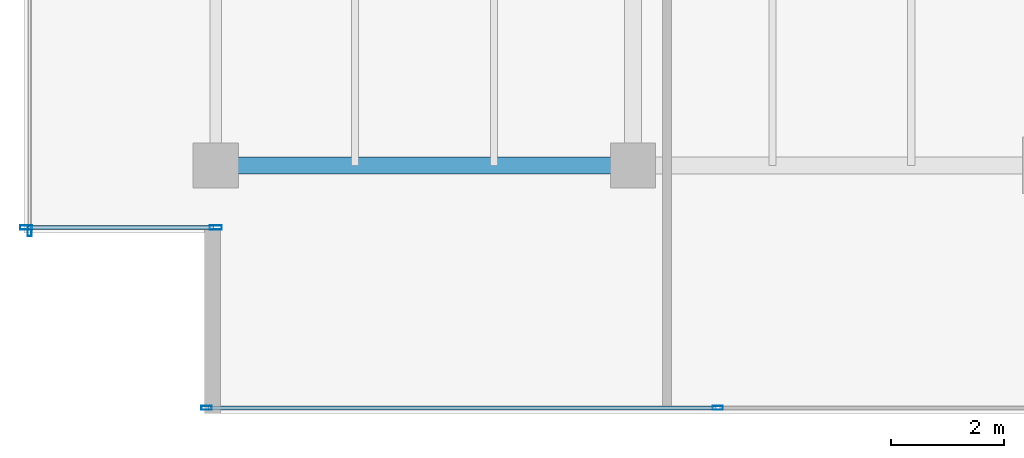
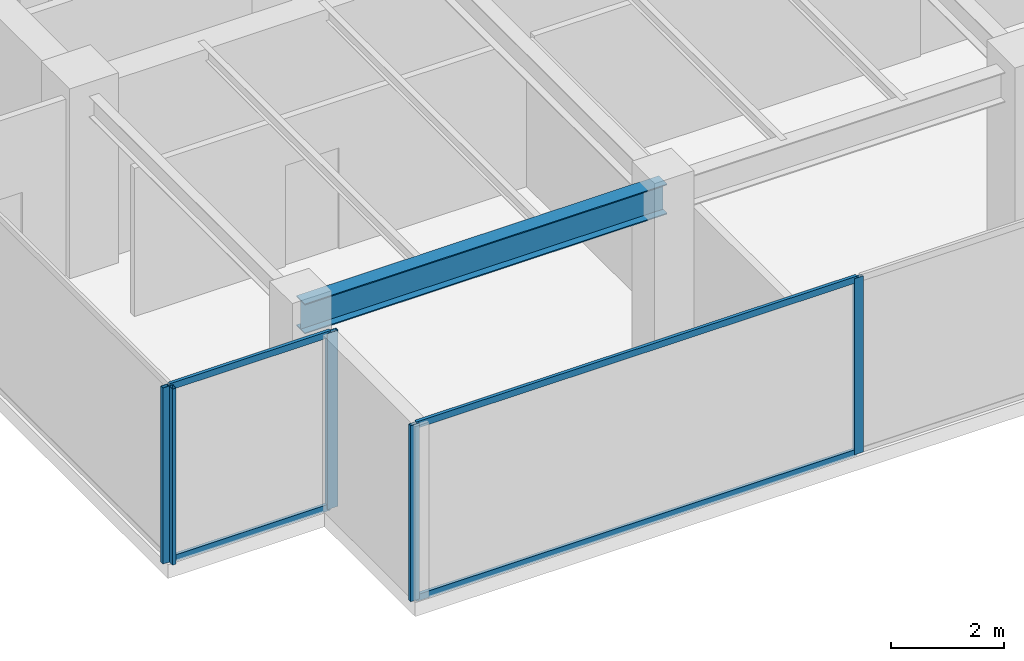
# One storey, part 5 of 33: 9 members, 1 beam, 3 elements without a shape of their own.
"""IFC4 building model written with IfcOpenShell, lengths in metres."""

from ifc_helpers import new_model, si_unit, direction, frame, origin, origin_2d, place, context, subcontext, project, spatial, hollow_rectangle, i_section, extrude, source, transform, mapped, material, layer, layer_set, material_profile, profile_set, type_object, type_shapes, element, aggregate, save


model = new_model("IFC4")

# Units and contexts
model_context = context("Model", 3, precision=1e-05, world=origin(), true_north=direction((0.0, 1.0)))
body_context = subcontext(model_context, "Body", "Model", "MODEL_VIEW")
ifc_project = project(units=[si_unit("LENGTHUNIT", "METRE"), si_unit("AREAUNIT", "SQUARE_METRE"), si_unit("VOLUMEUNIT", "CUBIC_METRE"), si_unit("PLANEANGLEUNIT", "RADIAN"), si_unit("MASSUNIT", "GRAM", prefix="KILO")], contexts=[model_context])

# Site, building, storey
site_placement = place(None, origin())
site = spatial("IfcSite", under=ifc_project, at=site_placement, CompositionType="ELEMENT")
building_placement = place(site_placement, origin())
building = spatial("IfcBuilding", under=site, at=building_placement, Name="Haelvirn Gate Laboratories", CompositionType="ELEMENT")
storey_placement = place(building_placement, frame((0.0, 0.0, 250.60009765625)))
storey = spatial("IfcBuildingStorey", under=building, at=storey_placement, Name="L60", CompositionType="ELEMENT", Elevation=250.60009765625)

# Beam
ifc_material_1 = material(Name="Steel SM355", Category="steel")
ifc_material_profile_1 = material_profile(ifc_material_1, i_section(OverallWidth=0.300048828125, OverallDepth=0.64990234375, WebThickness=0.012939453125, FlangeThickness=0.02197265625, at=origin_2d()), Name="H-650x300x13x22")
ifc_profile_set_1 = profile_set([ifc_material_profile_1], Name="Steel SM355")
beam_type = type_object("IfcBeamType", Name="BM-G-650", PredefinedType="BEAM", material=ifc_profile_set_1)
shared_shape_1 = source(origin(), body_context, "Body", "SweptSolid", [
    extrude(i_section(OverallWidth=0.300048828125, OverallDepth=0.64990234375, WebThickness=0.012939453125, FlangeThickness=0.02197265625, at=origin_2d()), origin(), (0.0, 0.0, 1.0), 7.400146484375),
])
type_shapes(beam_type, [shared_shape_1])
beam_placement = place(storey_placement, frame((7.39990234375, 7.0, 3.474853515625), z_axis=(1.0, 0.0, 0.0), x_axis=(0.0, 1.0, 0.0)))
element("IfcBeam", 1, at=beam_placement, inside=storey, type_object=beam_type, Name="L60 Primary Girder Y7.0 (7.4-14.8)", PredefinedType="BEAM", context=body_context, shape_type="MappedRepresentation", body=[
    mapped(shared_shape_1, transform((0.0, 0.0, 0.0), scale=1.0)),
])

# Curtain wall, members
ifc_material_2 = material(Name="Anodised bronze unitised aluminium & triple low-E glass", Category="aluminium")
ifc_layer_1 = layer(ifc_material_2, 0.181884765625, Name="CW-SYS-5")
ifc_layer_set_1 = layer_set([ifc_layer_1], Name="Anodised bronze unitised aluminium & triple low-E glass")
curtain_wall_type_1 = type_object("IfcCurtainWallType", Name="CW-SYS-5", PredefinedType="NOTDEFINED", material=ifc_layer_set_1)
curtain_wall_1_placement = place(storey_placement, origin())
curtain_wall_1 = element("IfcCurtainWall", 2, at=curtain_wall_1_placement, inside=storey, type_object=curtain_wall_type_1, Name="L60 Unitised Curtain Wall CW-L60-P0-E18-1", PredefinedType="NOTDEFINED")
ifc_material_3 = material(Name="Extruded aluminium 6063-T6 (anodised bronze)", Category="aluminium")
ifc_material_profile_2 = material_profile(ifc_material_3, hollow_rectangle(XDim=0.06494140625, YDim=0.139892578125, WallThickness=0.00390625, at=origin_2d()), Name="CWT-140x65x4")
ifc_profile_set_2 = profile_set([ifc_material_profile_2], Name="Extruded aluminium 6063-T6 (anodised bronze)")
member_type_1 = type_object("IfcMemberType", Name="CWT-T140", PredefinedType="USERDEFINED", material=ifc_profile_set_2)
shared_shape_2 = source(origin(), body_context, "Body", "SweptSolid", [
    extrude(hollow_rectangle(XDim=0.06494140625, YDim=0.139892578125, WallThickness=0.00390625, at=origin_2d()), origin(), (0.0, 0.0, 1.0), 3.280029296875),
])
member_1_placement = place(storey_placement, frame((4.080078125, 5.89990234375, 0.032470703125), z_axis=(1.0, 0.0, 0.0), x_axis=(0.0, 1.0, 0.0)))
member_1 = element("IfcMember", 3, at=member_1_placement, type_object=member_type_1, Name="CW5 transom 1.1", ObjectType="TRANSOM", PredefinedType="USERDEFINED", context=body_context, shape_type="MappedRepresentation", body=[
    mapped(shared_shape_2, transform((0.0, 0.0, 0.0), scale=1.0)),
])
member_2_placement = place(storey_placement, frame((4.080078125, 5.89990234375, 3.767333984375), z_axis=(1.0, 0.0, 0.0), x_axis=(0.0, 1.0, 0.0)))
member_2 = element("IfcMember", 4, at=member_2_placement, type_object=member_type_1, Name="CW5 transom 1.2", ObjectType="TRANSOM", PredefinedType="USERDEFINED", context=body_context, shape_type="MappedRepresentation", body=[
    mapped(shared_shape_2, transform((0.0, 0.0, 0.0), scale=1.0)),
])

ifc_layer_2 = layer(ifc_material_2, 0.176025390625, Name="CW-SYS-4")
ifc_layer_set_2 = layer_set([ifc_layer_2], Name="Anodised bronze unitised aluminium & triple low-E glass")
curtain_wall_type_2 = type_object("IfcCurtainWallType", Name="CW-SYS-4", PredefinedType="NOTDEFINED", material=ifc_layer_set_2)
curtain_wall_2_placement = place(storey_placement, origin())
curtain_wall_2 = element("IfcCurtainWall", 5, at=curtain_wall_2_placement, inside=storey, type_object=curtain_wall_type_2, Name="L60 Unitised Curtain Wall CW-L60-P0-E00-1", PredefinedType="NOTDEFINED")
shared_shape_3 = source(origin(), body_context, "Body", "SweptSolid", [
    extrude(hollow_rectangle(XDim=0.06494140625, YDim=0.139892578125, WallThickness=0.00390625, at=origin_2d()), origin(), (0.0, 0.0, 1.0), 8.994873046875),
])
type_shapes(member_type_1, [shared_shape_2, shared_shape_3])
member_3_placement = place(storey_placement, frame((7.27001953125, 2.699951171875, 0.032470703125), z_axis=(1.0, 0.0, 0.0), x_axis=(0.0, 1.0, 0.0)))
member_3 = element("IfcMember", 6, at=member_3_placement, type_object=member_type_1, Name="CW4 transom 1.1", ObjectType="TRANSOM", PredefinedType="USERDEFINED", context=body_context, shape_type="MappedRepresentation", body=[
    mapped(shared_shape_3, transform((0.0, 0.0, 0.0), scale=1.0)),
])
member_4_placement = place(storey_placement, frame((7.27001953125, 2.699951171875, 3.767333984375), z_axis=(1.0, 0.0, 0.0), x_axis=(0.0, 1.0, 0.0)))
member_4 = element("IfcMember", 7, at=member_4_placement, type_object=member_type_1, Name="CW4 transom 1.2", ObjectType="TRANSOM", PredefinedType="USERDEFINED", context=body_context, shape_type="MappedRepresentation", body=[
    mapped(shared_shape_3, transform((0.0, 0.0, 0.0), scale=1.0)),
])
ifc_material_profile_3 = material_profile(ifc_material_3, hollow_rectangle(XDim=0.070068359375, YDim=0.179931640625, WallThickness=0.0048828125, at=origin_2d()), Name="CWM-180x70x5")
ifc_profile_set_3 = profile_set([ifc_material_profile_3], Name="Extruded aluminium 6063-T6 (anodised bronze)")
member_type_2 = type_object("IfcMemberType", Name="CWM-T180", PredefinedType="MULLION", material=ifc_profile_set_3)
shared_shape_4 = source(origin(), body_context, "Body", "SweptSolid", [
    extrude(hollow_rectangle(XDim=0.070068359375, YDim=0.179931640625, WallThickness=0.0048828125, at=origin_2d()), origin(), (0.0, 0.0, 1.0), 3.7998046875),
])
type_shapes(member_type_2, [shared_shape_4])
member_5_placement = place(storey_placement, frame((7.235107421875, 2.699951171875, 0.0), z_axis=(0.0, 0.0, 1.0), x_axis=(0.0, 1.0, 0.0)))
member_5 = element("IfcMember", 8, at=member_5_placement, type_object=member_type_2, Name="CW4 mullion 1", PredefinedType="MULLION", context=body_context, shape_type="MappedRepresentation", body=[
    mapped(shared_shape_4, transform((0.0, 0.0, 0.0), scale=1.0)),
])
member_6_placement = place(storey_placement, frame((16.300048828125, 2.699951171875, 0.0), z_axis=(0.0, 0.0, 1.0), x_axis=(0.0, 1.0, 0.0)))
member_6 = element("IfcMember", 9, at=member_6_placement, type_object=member_type_2, Name="CW4 mullion 2", PredefinedType="MULLION", context=body_context, shape_type="MappedRepresentation", body=[
    mapped(shared_shape_4, transform((0.0, 0.0, 0.0), scale=1.0)),
])
aggregate(curtain_wall_2, [member_5, member_6, member_3, member_4])

# Curtain wall, member
curtain_wall_3_placement = place(storey_placement, origin())
curtain_wall_3 = element("IfcCurtainWall", 10, at=curtain_wall_3_placement, inside=storey, type_object=curtain_wall_type_2, Name="L60 Unitised Curtain Wall CW-L60-P0-E17", PredefinedType="NOTDEFINED")
member_7_placement = place(storey_placement, frame((4.10009765625, 5.8349609375, 0.0), z_axis=(0.0, 0.0, 1.0), x_axis=(1.0, 0.0, 0.0)))
member_7 = element("IfcMember", 11, at=member_7_placement, type_object=member_type_2, Name="CW4 mullion 3", PredefinedType="MULLION", context=body_context, shape_type="MappedRepresentation", body=[
    mapped(shared_shape_4, transform((0.0, 0.0, 0.0), scale=1.0)),
])
aggregate(curtain_wall_3, [member_7])

# Member
ifc_material_profile_4 = material_profile(ifc_material_3, hollow_rectangle(XDim=0.080078125, YDim=0.219970703125, WallThickness=0.006103515625, at=origin_2d()), Name="CWM-220x80x6")
ifc_profile_set_4 = profile_set([ifc_material_profile_4], Name="Extruded aluminium 6063-T6 (anodised bronze)")
member_type_3 = type_object("IfcMemberType", Name="CWM-T220", PredefinedType="MULLION", material=ifc_profile_set_4)
shared_shape_5 = source(origin(), body_context, "Body", "SweptSolid", [
    extrude(hollow_rectangle(XDim=0.080078125, YDim=0.219970703125, WallThickness=0.006103515625, at=origin_2d()), origin(), (0.0, 0.0, 1.0), 3.7998046875),
])
type_shapes(member_type_3, [shared_shape_5])
member_8_placement = place(storey_placement, frame((4.0400390625, 5.89990234375, 0.0), z_axis=(0.0, 0.0, 1.0), x_axis=(0.0, 1.0, 0.0)))
member_8 = element("IfcMember", 12, at=member_8_placement, type_object=member_type_3, Name="CW5 mullion 1", PredefinedType="MULLION", context=body_context, shape_type="MappedRepresentation", body=[
    mapped(shared_shape_5, transform((0.0, 0.0, 0.0), scale=1.0)),
])

member_9_placement = place(storey_placement, frame((7.39990234375, 5.89990234375, 0.0), z_axis=(0.0, 0.0, 1.0), x_axis=(0.0, 1.0, 0.0)))
member_9 = element("IfcMember", 13, at=member_9_placement, type_object=member_type_3, Name="CW5 mullion 2", PredefinedType="MULLION", context=body_context, shape_type="MappedRepresentation", body=[
    mapped(shared_shape_5, transform((0.0, 0.0, 0.0), scale=1.0)),
])

aggregate(curtain_wall_1, [member_8, member_9, member_1, member_2])

save(model, "model.ifc")
